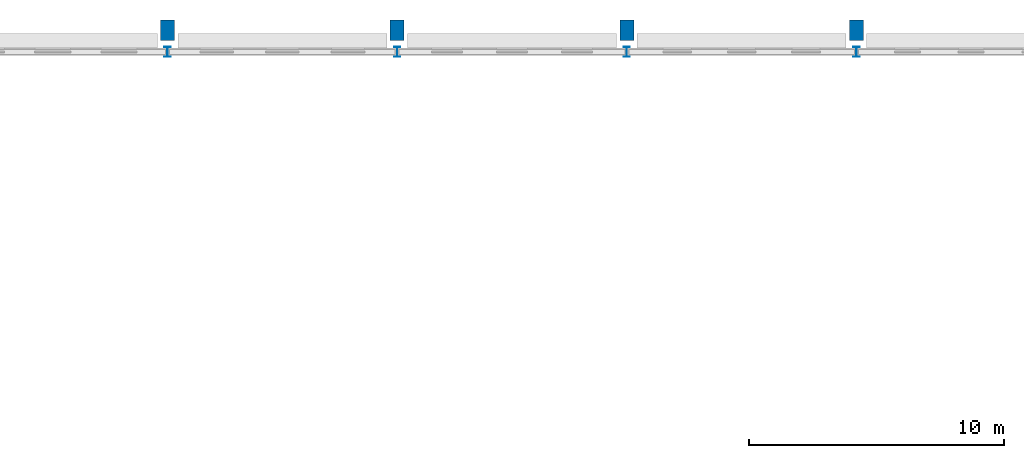
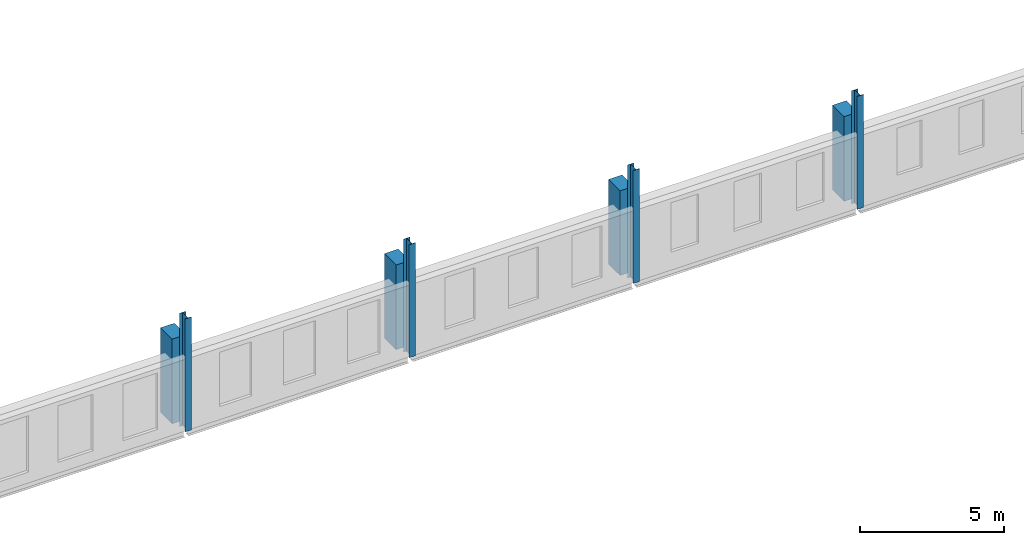
# One storey, part 23 of 132: 8 columns.
"""IFC4 building model written with IfcOpenShell, lengths in metres."""

from ifc_helpers import new_model, si_unit, direction, frame, origin, origin_2d, place, context, subcontext, project, spatial, rectangle, i_section, extrude, material, material_profile, profile_set, type_object, element, save


model = new_model("IFC4")

# Units and contexts
model_context = context("Model", 3, precision=1e-05, world=origin(), true_north=direction((0.0, 1.0)))
body_context = subcontext(model_context, "Body", "Model", "MODEL_VIEW")
ifc_project = project(units=[si_unit("LENGTHUNIT", "METRE"), si_unit("AREAUNIT", "SQUARE_METRE"), si_unit("VOLUMEUNIT", "CUBIC_METRE"), si_unit("PLANEANGLEUNIT", "RADIAN"), si_unit("MASSUNIT", "GRAM", prefix="KILO")], contexts=[model_context])

# Site, building, storey
site_placement = place(None, origin())
site = spatial("IfcSite", under=ifc_project, at=site_placement, CompositionType="ELEMENT")
building_placement = place(site_placement, origin())
building = spatial("IfcBuilding", under=site, at=building_placement, Name="Tharagai Park Tramway Depot", CompositionType="ELEMENT")
storey_placement = place(building_placement, frame((0.0, 0.0, 4.800048828125)))
storey = spatial("IfcBuildingStorey", under=building, at=storey_placement, Name="L01", CompositionType="ELEMENT", Elevation=4.800048828125)

# Columns
ifc_material_1 = material(Name="Steel E350", Category="steel")
ifc_material_profile_1 = material_profile(ifc_material_1, i_section(OverallWidth=0.25, OverallDepth=0.39990234375, WebThickness=0.010498046875, FlangeThickness=0.0126953125, FilletRadius=0.013916015625, at=origin_2d()), Name="ISHB 400")
ifc_profile_set_1 = profile_set([ifc_material_profile_1], Name="Steel E350")
column_type_1 = type_object("IfcColumnType", Name="CL-06", PredefinedType="COLUMN", material=ifc_profile_set_1)
for number, where, z_axis, x_axis, name in (
    (1, (36.0, 144.0, 0.0), (0.0, 0.0, 1.0), (1.0, 0.0, 0.0), "Shed Stanchion CL-06 (36,144)"),
    (2, (45.0, 144.0, 0.0), (0.0, 0.0, 1.0), (1.0, 0.0, 0.0), "Shed Stanchion CL-06 (45,144)"),
    (3, (54.0, 144.0, 0.0), (0.0, 0.0, 1.0), (1.0, 0.0, 0.0), "Shed Stanchion CL-06 (54,144)"),
    (4, (63.0, 144.0, 0.0), (0.0, 0.0, 1.0), (1.0, 0.0, 0.0), "Shed Stanchion CL-06 (63,144)"),
):
    element("IfcColumn", number, at=place(storey_placement, frame(where, z_axis=z_axis, x_axis=x_axis)), inside=storey, type_object=column_type_1, Name=name, PredefinedType="COLUMN", context=body_context, shape_type="SweptSolid", body=[
        extrude(i_section(OverallWidth=0.25, OverallDepth=0.39990234375, WebThickness=0.010498046875, FlangeThickness=0.0126953125, FilletRadius=0.013916015625, at=origin_2d()), origin(), (0.0, 0.0, 1.0), 4.800048828125),
    ])
ifc_material_2 = material(Name="Concrete M40", Category="concrete")
ifc_material_profile_2 = material_profile(ifc_material_2, rectangle(XDim=0.550048828125, YDim=0.800048828125, at=origin_2d()), Name="RC 550x800")
ifc_profile_set_2 = profile_set([ifc_material_profile_2], Name="Concrete M40")
column_type_2 = type_object("IfcColumnType", Name="PL-02", PredefinedType="PILASTER", material=ifc_profile_set_2)
for number, where, z_axis, x_axis, name in (
    (5, (36.0, 144.85009765625, 0.0), (0.0, 0.0, 1.0), (1.0, 0.0, 0.0), "L01 Stepped Gothic Buttress PL-02 N-036"),
    (6, (45.0, 144.85009765625, 0.0), (0.0, 0.0, 1.0), (1.0, 0.0, 0.0), "L01 Stepped Gothic Buttress PL-02 N-045"),
    (7, (54.0, 144.85009765625, 0.0), (0.0, 0.0, 1.0), (1.0, 0.0, 0.0), "L01 Stepped Gothic Buttress PL-02 N-054"),
    (8, (63.0, 144.85009765625, 0.0), (0.0, 0.0, 1.0), (1.0, 0.0, 0.0), "L01 Stepped Gothic Buttress PL-02 N-063"),
):
    element("IfcColumn", number, at=place(storey_placement, frame(where, z_axis=z_axis, x_axis=x_axis)), inside=storey, type_object=column_type_2, Name=name, PredefinedType="PILASTER", context=body_context, shape_type="SweptSolid", body=[
        extrude(rectangle(XDim=0.550048828125, YDim=0.800048828125, at=origin_2d()), origin(), (0.0, 0.0, 1.0), 3.599853515625),
    ])

save(model, "model.ifc")
